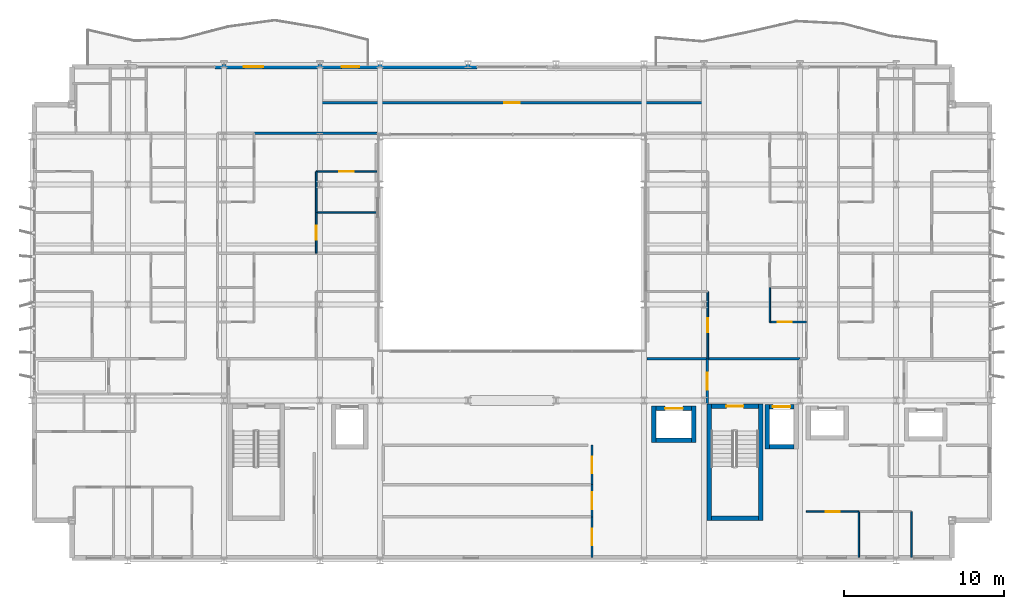
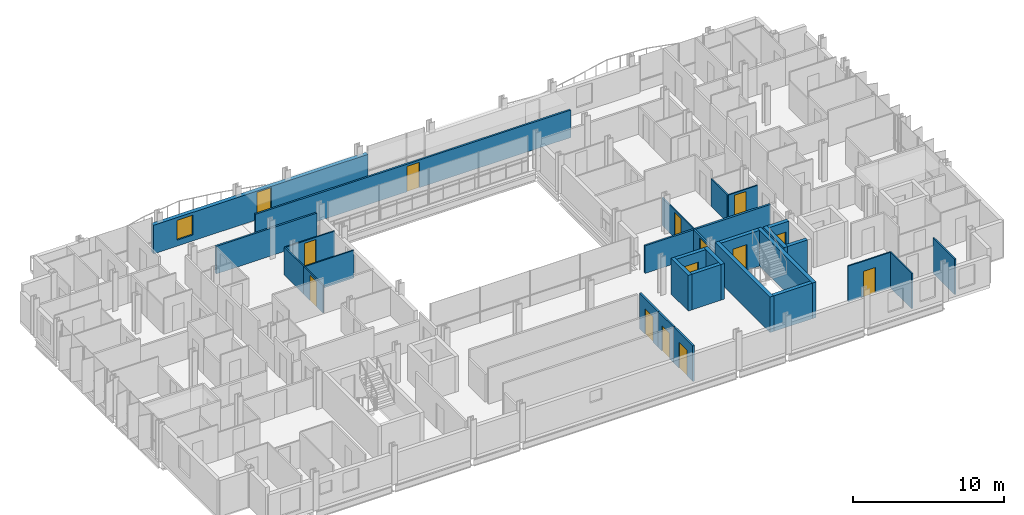
# One storey, part 30 of 39: 30 walls, 14 doors, 1 window, 15 openings.
"""IFC4 building model written with IfcOpenShell, lengths in metres."""

from ifc_helpers import new_model, si_unit, direction, frame, frame_2d, origin, place, context, subcontext, project, spatial, rectangle, extrude, material, layer, layer_set, type_object, element, fill, save


model = new_model("IFC4")

# Units and contexts
model_context = context("Model", 3, precision=1e-05, world=origin(), true_north=direction((0.0, 1.0)))
body_context = subcontext(model_context, "Body", "Model", "MODEL_VIEW")
ifc_project = project(units=[si_unit("LENGTHUNIT", "METRE"), si_unit("AREAUNIT", "SQUARE_METRE"), si_unit("VOLUMEUNIT", "CUBIC_METRE"), si_unit("PLANEANGLEUNIT", "RADIAN"), si_unit("MASSUNIT", "GRAM", prefix="KILO")], contexts=[model_context])

# Site, building, storey
site_placement = place(None, origin())
site = spatial("IfcSite", under=ifc_project, at=site_placement, CompositionType="ELEMENT")
building_placement = place(site_placement, origin())
building = spatial("IfcBuilding", under=site, at=building_placement, Name="Brevholm Reach", CompositionType="ELEMENT")
storey_placement = place(building_placement, frame((0.0, 0.0, 83.800048828125)))
storey = spatial("IfcBuildingStorey", under=building, at=storey_placement, Name="L24", CompositionType="ELEMENT", Elevation=83.800048828125)

# Walls
ifc_material_1 = material(Name="Concrete C50/60", Category="concrete")
ifc_layer_1 = layer(ifc_material_1, 0.280029296875)
ifc_layer_set_1 = layer_set([ifc_layer_1], Name="Concrete C50/60")
wall_type_1 = type_object("IfcWallType", Name="WAL-COR-280", PredefinedType="SHEAR", material=ifc_layer_set_1)
for number, where, z_axis, x_axis, name in (
    (1, (42.31005859375, 2.5, 0.0), (0.0, 0.0, 1.0), (0.0, 1.0, 0.0), "L24 Escape Stair ST-2 Core Wall W"),
    (2, (45.5400390625, 2.5, 0.0), (0.0, 0.0, 1.0), (0.0, 1.0, 0.0), "L24 Escape Stair ST-2 Core Wall E"),
):
    element("IfcWall", number, at=place(storey_placement, frame(where, z_axis=z_axis, x_axis=x_axis)), inside=storey, type_object=wall_type_1, Name=name, PredefinedType="SHEAR", context=body_context, shape_type="SweptSolid", body=[
        extrude(rectangle(XDim=7.280029296875, YDim=0.280029296875, at=frame_2d((3.64013671875, 0.0))), origin(), (0.0, 0.0, 1.0), 2.869873046875),
    ])
wall_1_placement = place(storey_placement, frame((42.449951171875, 2.639892578125, 0.0), z_axis=(0.0, 0.0, 1.0), x_axis=(1.0, 0.0, 0.0)))
element("IfcWall", 3, at=wall_1_placement, inside=storey, type_object=wall_type_1, Name="L24 Escape Stair ST-2 Core Wall S", PredefinedType="SHEAR", context=body_context, shape_type="SweptSolid", body=[
    extrude(rectangle(XDim=2.949951171875, YDim=0.280029296875, at=frame_2d((1.47509765625, 0.0))), origin(), (0.0, 0.0, 1.0), 2.869873046875),
])

# Wall, opening, door
wall_2_placement = place(storey_placement, frame((45.39990234375, 9.639892578125, 0.0), z_axis=(0.0, 0.0, 1.0), x_axis=(-1.0, 0.0, 0.0)))
wall_2 = element("IfcWall", 4, at=wall_2_placement, inside=storey, type_object=wall_type_1, Name="L24 Escape Stair ST-2 Core Wall N", PredefinedType="SHEAR", context=body_context, shape_type="SweptSolid", body=[
    extrude(rectangle(XDim=2.949951171875, YDim=0.280029296875, at=frame_2d((1.47509765625, 0.0))), origin(), (0.0, 0.0, 1.0), 2.869873046875),
])
opening_1_placement = place(wall_2_placement, frame((0.949951171875, 0.0, 0.0)))
opening_1 = element("IfcOpeningElement", 5, at=opening_1_placement, cuts=wall_2, Name="Opening SD-ST-2", PredefinedType="OPENING", context=body_context, shape_type="SweptSolid", body=[
    extrude(rectangle(XDim=1.050048828125, YDim=2.06005859375, at=frame_2d((0.52490234375, 1.030029296875))), frame((0.0, 0.14990234375, 0.0), z_axis=(0.0, -1.0, 0.0), x_axis=(1.0, 0.0, 0.0)), (0.0, 0.0, 1.0), 0.300048828125),
])
ifc_material_2 = material(Name="Hardwood-Lipped Steel-Core Fire and Smoke Door", Category="steel")
door_type_1 = type_object("IfcDoorType", Name="DOR-INT-FD60S", OperationType="NOTDEFINED", PredefinedType="DOOR", material=ifc_material_2)
door_1_placement = place(opening_1_placement, origin())
door_1 = element("IfcDoor", 6, at=door_1_placement, inside=storey, type_object=door_type_1, Name="L24 Protected Stair ST-2 Lobby Door", OperationType="SINGLE_SWING_LEFT", OverallHeight=2.06005859375, OverallWidth=1.050048828125, PredefinedType="DOOR", context=body_context, shape_type="SweptSolid", body=[
    extrude(rectangle(XDim=1.050048828125, YDim=2.06005859375, at=frame_2d((0.52490234375, 1.030029296875))), frame((0.0, 0.02490234375, 0.0), z_axis=(0.0, -1.0, 0.0), x_axis=(1.0, 0.0, 0.0)), (0.0, 0.0, 1.0), 0.050048828125),
])
fill(opening_1, door_1)

# Walls
wall_3_placement = place(storey_placement, frame((45.949951171875, 6.9599609375, 0.0), z_axis=(0.0, 0.0, 1.0), x_axis=(0.0, 1.0, 0.0)))
element("IfcWall", 7, at=wall_3_placement, inside=storey, type_object=wall_type_1, Name="L24 Lift FFL-2 Shaft Wall W", PredefinedType="SHEAR", context=body_context, shape_type="SweptSolid", body=[
    extrude(rectangle(XDim=2.780029296875, YDim=0.280029296875, at=frame_2d((1.39013671875, 0.0))), origin(), (0.0, 0.0, 1.0), 2.869873046875),
])
wall_4_placement = place(storey_placement, frame((46.090087890625, 7.10009765625, 0.0), z_axis=(0.0, 0.0, 1.0), x_axis=(1.0, 0.0, 0.0)))
element("IfcWall", 8, at=wall_4_placement, inside=storey, type_object=wall_type_1, Name="L24 Lift FFL-2 Shaft Wall S", PredefinedType="SHEAR", context=body_context, shape_type="SweptSolid", body=[
    extrude(rectangle(XDim=1.52001953125, YDim=0.280029296875, at=frame_2d((0.760009765625, 0.0))), origin(), (0.0, 0.0, 1.0), 2.869873046875),
])

# Wall, opening, door
wall_5_placement = place(storey_placement, frame((46.090087890625, 9.60009765625, 0.0), z_axis=(0.0, 0.0, 1.0), x_axis=(1.0, 0.0, 0.0)))
wall_5 = element("IfcWall", 9, at=wall_5_placement, inside=storey, type_object=wall_type_1, Name="L24 Lift FFL-2 Shaft Wall N", PredefinedType="SHEAR", context=body_context, shape_type="SweptSolid", body=[
    extrude(rectangle(XDim=1.52001953125, YDim=0.280029296875, at=frame_2d((0.760009765625, 0.0))), origin(), (0.0, 0.0, 1.0), 2.869873046875),
])
opening_2_placement = place(wall_5_placement, frame((0.2099609375, 0.0, 0.0)))
opening_2 = element("IfcOpeningElement", 10, at=opening_2_placement, cuts=wall_5, Name="Opening LD-FFL-2", PredefinedType="OPENING", context=body_context, shape_type="SweptSolid", body=[
    extrude(rectangle(XDim=1.10009765625, YDim=2.06005859375, at=frame_2d((0.550048828125, 1.030029296875))), frame((0.0, 0.14990234375, 0.0), z_axis=(0.0, -1.0, 0.0), x_axis=(1.0, 0.0, 0.0)), (0.0, 0.0, 1.0), 0.300048828125),
])
ifc_material_3 = material(Name="Brushed Stainless Steel Fire-Rated Sliding Lift Door", Category="steel")
door_type_2 = type_object("IfcDoorType", Name="DOR-LFT-1100", OperationType="NOTDEFINED", PredefinedType="DOOR", material=ifc_material_3)
door_2_placement = place(opening_2_placement, origin())
door_2 = element("IfcDoor", 11, at=door_2_placement, inside=storey, type_object=door_type_2, Name="L24 Lift FFL-2 Sliding Landing Door", OperationType="SLIDING_TO_LEFT", OverallHeight=2.06005859375, OverallWidth=1.10009765625, PredefinedType="DOOR", context=body_context, shape_type="SweptSolid", body=[
    extrude(rectangle(XDim=1.10009765625, YDim=2.06005859375, at=frame_2d((0.550048828125, 1.030029296875))), frame((0.0, 0.02490234375, 0.0), z_axis=(0.0, -1.0, 0.0), x_axis=(1.0, 0.0, 0.0)), (0.0, 0.0, 1.0), 0.050048828125),
])
fill(opening_2, door_2)

# Walls
for number, where, z_axis, x_axis, name in (
    (12, (38.8701171875, 7.360107421875, 0.0), (0.0, 0.0, 1.0), (0.0, 1.0, 0.0), "L24 Lift PL-S1 Shaft Wall W"),
    (13, (41.3701171875, 7.360107421875, 0.0), (0.0, 0.0, 1.0), (0.0, 1.0, 0.0), "L24 Lift PL-S1 Shaft Wall E"),
):
    element("IfcWall", number, at=place(storey_placement, frame(where, z_axis=z_axis, x_axis=x_axis)), inside=storey, type_object=wall_type_1, Name=name, PredefinedType="SHEAR", context=body_context, shape_type="SweptSolid", body=[
        extrude(rectangle(XDim=2.27978515625, YDim=0.280029296875, at=frame_2d((1.139892578125, 0.0))), origin(), (0.0, 0.0, 1.0), 2.869873046875),
    ])
wall_6_placement = place(storey_placement, frame((39.010009765625, 7.5, 0.0), z_axis=(0.0, 0.0, 1.0), x_axis=(1.0, 0.0, 0.0)))
element("IfcWall", 14, at=wall_6_placement, inside=storey, type_object=wall_type_1, Name="L24 Lift PL-S1 Shaft Wall S", PredefinedType="SHEAR", context=body_context, shape_type="SweptSolid", body=[
    extrude(rectangle(XDim=2.219970703125, YDim=0.280029296875, at=frame_2d((1.10986328125, 0.0))), origin(), (0.0, 0.0, 1.0), 2.869873046875),
])

# Wall, opening, door
wall_7_placement = place(storey_placement, frame((39.010009765625, 9.5, 0.0), z_axis=(0.0, 0.0, 1.0), x_axis=(1.0, 0.0, 0.0)))
wall_7 = element("IfcWall", 15, at=wall_7_placement, inside=storey, type_object=wall_type_1, Name="L24 Lift PL-S1 Shaft Wall N", PredefinedType="SHEAR", context=body_context, shape_type="SweptSolid", body=[
    extrude(rectangle(XDim=2.219970703125, YDim=0.280029296875, at=frame_2d((1.10986328125, 0.0))), origin(), (0.0, 0.0, 1.0), 2.869873046875),
])
opening_3_placement = place(wall_7_placement, frame((0.56005859375, 0.0, 0.0)))
opening_3 = element("IfcOpeningElement", 16, at=opening_3_placement, cuts=wall_7, Name="Opening LD-PL-S1", PredefinedType="OPENING", context=body_context, shape_type="SweptSolid", body=[
    extrude(rectangle(XDim=1.10009765625, YDim=2.06005859375, at=frame_2d((0.550048828125, 1.030029296875))), frame((0.0, 0.14990234375, 0.0), z_axis=(0.0, -1.0, 0.0), x_axis=(1.0, 0.0, 0.0)), (0.0, 0.0, 1.0), 0.300048828125),
])
door_3_placement = place(opening_3_placement, origin())
door_3 = element("IfcDoor", 17, at=door_3_placement, inside=storey, type_object=door_type_2, Name="L24 Lift PL-S1 Sliding Landing Door", OperationType="SLIDING_TO_RIGHT", OverallHeight=2.06005859375, OverallWidth=1.10009765625, PredefinedType="DOOR", context=body_context, shape_type="SweptSolid", body=[
    extrude(rectangle(XDim=1.10009765625, YDim=2.06005859375, at=frame_2d((0.550048828125, 1.030029296875))), frame((0.0, 0.02490234375, 0.0), z_axis=(0.0, -1.0, 0.0), x_axis=(1.0, 0.0, 0.0)), (0.0, 0.0, 1.0), 0.050048828125),
])
fill(opening_3, door_3)

# Wall, openings, door, window
ifc_material_4 = material(Name="Concrete C40/50", Category="concrete")
ifc_layer_2 = layer(ifc_material_4, 0.300048828125)
ifc_layer_set_2 = layer_set([ifc_layer_2], Name="Concrete C40/50")
wall_type_2 = type_object("IfcWallType", Name="WAL-EXT-300", PredefinedType="STANDARD", material=ifc_layer_set_2)
wall_8_placement = place(storey_placement, frame((11.449951171875, 30.85009765625, 0.0), z_axis=(0.0, 0.0, 1.0), x_axis=(1.0, 0.0, 0.0)))
wall_8 = element("IfcWall", 18, at=wall_8_placement, inside=storey, type_object=wall_type_2, Name="L24 Facade Wall WAL-L24-NP-WL", PredefinedType="STANDARD", context=body_context, shape_type="SweptSolid", body=[
    extrude(rectangle(XDim=16.35009765625, YDim=0.300048828125, at=frame_2d((8.175048828125, 0.0))), origin(), (0.0, 0.0, 1.0), 2.305419921875),
])
opening_4_placement = place(wall_8_placement, frame((7.89794921875, 0.0, 0.0)))
opening_4 = element("IfcOpeningElement", 19, at=opening_4_placement, cuts=wall_8, Name="Opening BD-01", PredefinedType="OPENING", context=body_context, shape_type="SweptSolid", body=[
    extrude(rectangle(XDim=1.10009765625, YDim=2.199951171875, at=frame_2d((0.550048828125, 1.10009765625))), frame((0.0, 0.159912109375, 0.0), z_axis=(0.0, -1.0, 0.0), x_axis=(1.0, 0.0, 0.0)), (0.0, 0.0, 1.0), 0.320068359375),
])
opening_5_placement = place(wall_8_placement, frame((1.800048828125, 0.0, 0.486083984375)))
opening_5 = element("IfcOpeningElement", 20, at=opening_5_placement, cuts=wall_8, Name="Opening WN-08", PredefinedType="OPENING", context=body_context, shape_type="SweptSolid", body=[
    extrude(rectangle(XDim=1.199951171875, YDim=1.60009765625, at=frame_2d((0.60009765625, 0.800048828125))), frame((0.0, 0.159912109375, 0.0), z_axis=(0.0, -1.0, 0.0), x_axis=(1.0, 0.0, 0.0)), (0.0, 0.0, 1.0), 0.320068359375),
])
ifc_material_5 = material(Name="Dark Anodised Aluminium and Triple-Glazed Glass", Category="aluminium")
door_type_3 = type_object("IfcDoorType", Name="DOR-BALC-1100", OperationType="NOTDEFINED", PredefinedType="DOOR", material=ifc_material_5)
door_4_placement = place(opening_4_placement, origin())
door_4 = element("IfcDoor", 21, at=door_4_placement, inside=storey, type_object=door_type_3, Name="L24 Exterior Door DOR-L24-BL-NW", OperationType="SINGLE_SWING_LEFT", OverallHeight=2.199951171875, OverallWidth=1.10009765625, PredefinedType="DOOR", context=body_context, shape_type="SweptSolid", body=[
    extrude(rectangle(XDim=1.10009765625, YDim=2.199951171875, at=frame_2d((0.550048828125, 1.10009765625))), frame((0.0, 0.02490234375, 0.0), z_axis=(0.0, -1.0, 0.0), x_axis=(1.0, 0.0, 0.0)), (0.0, 0.0, 1.0), 0.050048828125),
])
fill(opening_4, door_4)
ifc_material_6 = material(Name="Dark Anodised Aluminium and Solar-Control IGU Glass", Category="aluminium")
window_type = type_object("IfcWindowType", Name="WIN-RES-1200", PartitioningType="SINGLE_PANEL", PredefinedType="WINDOW", material=ifc_material_6)
window_placement = place(opening_5_placement, origin())
window = element("IfcWindow", 22, at=window_placement, inside=storey, type_object=window_type, Name="L24 Window WIN-L24-NP-WL1", OverallHeight=1.60009765625, OverallWidth=1.199951171875, PartitioningType="SINGLE_PANEL", PredefinedType="WINDOW", context=body_context, shape_type="SweptSolid", body=[
    extrude(rectangle(XDim=1.199951171875, YDim=1.60009765625, at=frame_2d((0.60009765625, 0.800048828125))), frame((0.0, 0.030029296875, 0.0), z_axis=(0.0, -1.0, 0.0), x_axis=(1.0, 0.0, 0.0)), (0.0, 0.0, 1.0), 0.06005859375),
])
fill(opening_5, window)

# Wall
ifc_material_7 = material(Name="Moisture-Resistant Acoustic Gypsum Stud Partition 100 mm", Category="gypsum")
ifc_layer_3 = layer(ifc_material_7, 0.10009765625)
ifc_layer_set_3 = layer_set([ifc_layer_3], Name="Moisture-Resistant Acoustic Gypsum Stud Partition 100 mm")
wall_type_3 = type_object("IfcWallType", Name="WAL-PRT-100", PredefinedType="PARTITIONING", material=ifc_layer_set_3)
wall_9_placement = place(storey_placement, frame((51.675048828125, 0.199951171875, 0.0), z_axis=(0.0, 0.0, 1.0), x_axis=(0.0, 1.0, 0.0)))
element("IfcWall", 23, at=wall_9_placement, inside=storey, type_object=wall_type_3, Name="L24 Internal Partition 082", PredefinedType="PARTITIONING", context=body_context, shape_type="SweptSolid", body=[
    extrude(rectangle(XDim=2.85009765625, YDim=0.10009765625, at=frame_2d((1.425048828125, 0.0))), origin(), (0.0, 0.0, 1.0), 2.869873046875),
])

# Wall, opening, door
wall_10_placement = place(storey_placement, frame((48.39990234375, 3.050048828125, 0.0), z_axis=(0.0, 0.0, 1.0), x_axis=(1.0, 0.0, 0.0)))
wall_10 = element("IfcWall", 24, at=wall_10_placement, inside=storey, type_object=wall_type_3, Name="L24 Internal Partition 083", PredefinedType="PARTITIONING", context=body_context, shape_type="SweptSolid", body=[
    extrude(rectangle(XDim=3.275146484375, YDim=0.10009765625, at=frame_2d((1.6376953125, 0.0))), origin(), (0.0, 0.0, 1.0), 2.869873046875),
])
opening_6_placement = place(wall_10_placement, frame((1.197509765625, 0.0, 0.0)))
opening_6 = element("IfcOpeningElement", 25, at=opening_6_placement, cuts=wall_10, Name="Opening ID-01", PredefinedType="OPENING", context=body_context, shape_type="SweptSolid", body=[
    extrude(rectangle(XDim=0.8798828125, YDim=2.0400390625, at=frame_2d((0.43994140625, 1.02001953125))), frame((0.0, 0.06005859375, 0.0), z_axis=(0.0, -1.0, 0.0), x_axis=(1.0, 0.0, 0.0)), (0.0, 0.0, 1.0), 0.1201171875),
])
ifc_material_8 = material(Name="Lacquered Ash Solid-Core Acoustic Internal Door", Category="timber")
door_type_4 = type_object("IfcDoorType", Name="DOR-INT-880", OperationType="NOTDEFINED", PredefinedType="DOOR", material=ifc_material_8)
door_5_placement = place(opening_6_placement, origin())
door_5 = element("IfcDoor", 26, at=door_5_placement, inside=storey, type_object=door_type_4, Name="L24 Internal Door 032", OperationType="SINGLE_SWING_LEFT", OverallHeight=2.0400390625, OverallWidth=0.8798828125, PredefinedType="DOOR", context=body_context, shape_type="SweptSolid", body=[
    extrude(rectangle(XDim=0.8798828125, YDim=2.0400390625, at=frame_2d((0.43994140625, 1.02001953125))), frame((0.0, 0.02490234375, 0.0), z_axis=(0.0, -1.0, 0.0), x_axis=(1.0, 0.0, 0.0)), (0.0, 0.0, 1.0), 0.050048828125),
])
fill(opening_6, door_5)

# Walls
wall_11_placement = place(storey_placement, frame((54.949951171875, 0.199951171875, 0.0), z_axis=(0.0, 0.0, 1.0), x_axis=(0.0, 1.0, 0.0)))
element("IfcWall", 27, at=wall_11_placement, inside=storey, type_object=wall_type_3, Name="L24 Internal Partition 084", PredefinedType="PARTITIONING", context=body_context, shape_type="SweptSolid", body=[
    extrude(rectangle(XDim=2.85009765625, YDim=0.10009765625, at=frame_2d((1.425048828125, 0.0))), origin(), (0.0, 0.0, 1.0), 2.869873046875),
])
wall_12_placement = place(storey_placement, frame((17.76904296875, 21.75, 0.0), z_axis=(0.0, 0.0, 1.0), x_axis=(1.0, 0.0, 0.0)))
element("IfcWall", 28, at=wall_12_placement, inside=storey, type_object=wall_type_3, Name="L24 Internal Partition 121", PredefinedType="PARTITIONING", context=body_context, shape_type="SweptSolid", body=[
    extrude(rectangle(XDim=3.781005859375, YDim=0.10009765625, at=frame_2d((1.890625, 0.0))), origin(), (0.0, 0.0, 1.0), 2.224853515625),
])

# Wall, opening, door
wall_13_placement = place(storey_placement, frame((17.76904296875, 19.2041015625, 0.0), z_axis=(0.0, 0.0, 1.0), x_axis=(0.0, 1.0, 0.0)))
wall_13 = element("IfcWall", 29, at=wall_13_placement, inside=storey, type_object=wall_type_3, Name="L24 Internal Partition 122", PredefinedType="PARTITIONING", context=body_context, shape_type="SweptSolid", body=[
    extrude(rectangle(XDim=2.5458984375, YDim=0.10009765625, at=frame_2d((1.27294921875, 0.0))), origin(), (0.0, 0.0, 1.0), 2.224853515625),
])
opening_7_placement = place(wall_13_placement, frame((0.8330078125, 0.0, 0.0)))
opening_7 = element("IfcOpeningElement", 30, at=opening_7_placement, cuts=wall_13, Name="Opening ID-01", PredefinedType="OPENING", context=body_context, shape_type="SweptSolid", body=[
    extrude(rectangle(XDim=0.8798828125, YDim=2.0400390625, at=frame_2d((0.43994140625, 1.02001953125))), frame((0.0, 0.06005859375, 0.0), z_axis=(0.0, -1.0, 0.0), x_axis=(1.0, 0.0, 0.0)), (0.0, 0.0, 1.0), 0.1201171875),
])
door_6_placement = place(opening_7_placement, origin())
door_6 = element("IfcDoor", 31, at=door_6_placement, inside=storey, type_object=door_type_4, Name="L24 Internal Door 046", OperationType="SINGLE_SWING_LEFT", OverallHeight=2.0400390625, OverallWidth=0.8798828125, PredefinedType="DOOR", context=body_context, shape_type="SweptSolid", body=[
    extrude(rectangle(XDim=0.8798828125, YDim=2.0400390625, at=frame_2d((0.43994140625, 1.02001953125))), frame((0.0, 0.02490234375, 0.0), z_axis=(0.0, -1.0, 0.0), x_axis=(1.0, 0.0, 0.0)), (0.0, 0.0, 1.0), 0.050048828125),
])
fill(opening_7, door_6)

wall_14_placement = place(storey_placement, frame((17.76904296875, 24.300048828125, 0.0), z_axis=(0.0, 0.0, 1.0), x_axis=(1.0, 0.0, 0.0)))
wall_14 = element("IfcWall", 32, at=wall_14_placement, inside=storey, type_object=wall_type_3, Name="L24 Internal Partition 123", PredefinedType="PARTITIONING", context=body_context, shape_type="SweptSolid", body=[
    extrude(rectangle(XDim=3.781005859375, YDim=0.10009765625, at=frame_2d((1.890625, 0.0))), origin(), (0.0, 0.0, 1.0), 2.224853515625),
])
opening_8_placement = place(wall_14_placement, frame((1.450439453125, 0.0, 0.0)))
opening_8 = element("IfcOpeningElement", 33, at=opening_8_placement, cuts=wall_14, Name="Opening ID-01", PredefinedType="OPENING", context=body_context, shape_type="SweptSolid", body=[
    extrude(rectangle(XDim=0.8798828125, YDim=2.0400390625, at=frame_2d((0.43994140625, 1.02001953125))), frame((0.0, 0.06005859375, 0.0), z_axis=(0.0, -1.0, 0.0), x_axis=(1.0, 0.0, 0.0)), (0.0, 0.0, 1.0), 0.1201171875),
])
door_7_placement = place(opening_8_placement, origin())
door_7 = element("IfcDoor", 34, at=door_7_placement, inside=storey, type_object=door_type_4, Name="L24 Internal Door 047", OperationType="SINGLE_SWING_RIGHT", OverallHeight=2.0400390625, OverallWidth=0.8798828125, PredefinedType="DOOR", context=body_context, shape_type="SweptSolid", body=[
    extrude(rectangle(XDim=0.8798828125, YDim=2.0400390625, at=frame_2d((0.43994140625, 1.02001953125))), frame((0.0, 0.02490234375, 0.0), z_axis=(0.0, -1.0, 0.0), x_axis=(1.0, 0.0, 0.0)), (0.0, 0.0, 1.0), 0.050048828125),
])
fill(opening_8, door_7)

# Wall
wall_15_placement = place(storey_placement, frame((17.76904296875, 21.75390625, 0.0), z_axis=(0.0, 0.0, 1.0), x_axis=(0.0, 1.0, 0.0)))
element("IfcWall", 35, at=wall_15_placement, inside=storey, type_object=wall_type_3, Name="L24 Internal Partition 124", PredefinedType="PARTITIONING", context=body_context, shape_type="SweptSolid", body=[
    extrude(rectangle(XDim=2.546142578125, YDim=0.10009765625, at=frame_2d((1.27294921875, 0.0))), origin(), (0.0, 0.0, 1.0), 2.224853515625),
])

# Wall, opening, door
wall_16_placement = place(storey_placement, frame((46.112060546875, 14.89990234375, 0.0), z_axis=(0.0, 0.0, 1.0), x_axis=(1.0, 0.0, 0.0)))
wall_16 = element("IfcWall", 36, at=wall_16_placement, inside=storey, type_object=wall_type_3, Name="L24 Internal Partition 128", PredefinedType="PARTITIONING", context=body_context, shape_type="SweptSolid", body=[
    extrude(rectangle(XDim=2.283935546875, YDim=0.10009765625, at=frame_2d((1.14208984375, 0.0))), origin(), (0.0, 0.0, 1.0), 2.224853515625),
])
opening_9_placement = place(wall_16_placement, frame((0.48193359375, 0.0, 0.0)))
opening_9 = element("IfcOpeningElement", 37, at=opening_9_placement, cuts=wall_16, Name="Opening ID-01", PredefinedType="OPENING", context=body_context, shape_type="SweptSolid", body=[
    extrude(rectangle(XDim=0.8798828125, YDim=2.0400390625, at=frame_2d((0.43994140625, 1.02001953125))), frame((0.0, 0.06005859375, 0.0), z_axis=(0.0, -1.0, 0.0), x_axis=(1.0, 0.0, 0.0)), (0.0, 0.0, 1.0), 0.1201171875),
])
door_8_placement = place(opening_9_placement, origin())
door_8 = element("IfcDoor", 38, at=door_8_placement, inside=storey, type_object=door_type_4, Name="L24 Internal Door 049", OperationType="SINGLE_SWING_RIGHT", OverallHeight=2.0400390625, OverallWidth=0.8798828125, PredefinedType="DOOR", context=body_context, shape_type="SweptSolid", body=[
    extrude(rectangle(XDim=0.8798828125, YDim=2.0400390625, at=frame_2d((0.43994140625, 1.02001953125))), frame((0.0, 0.02490234375, 0.0), z_axis=(0.0, -1.0, 0.0), x_axis=(1.0, 0.0, 0.0)), (0.0, 0.0, 1.0), 0.050048828125),
])
fill(opening_9, door_8)

# Wall
wall_17_placement = place(storey_placement, frame((46.112060546875, 14.89990234375, 0.0), z_axis=(0.0, 0.0, 1.0), x_axis=(0.0, 1.0, 0.0)))
element("IfcWall", 39, at=wall_17_placement, inside=storey, type_object=wall_type_3, Name="L24 Internal Partition 129", PredefinedType="PARTITIONING", context=body_context, shape_type="SweptSolid", body=[
    extrude(rectangle(XDim=2.14599609375, YDim=0.10009765625, at=frame_2d((1.072998046875, 0.0))), origin(), (0.0, 0.0, 1.0), 2.224853515625),
])

# Wall, opening, door
wall_18_placement = place(storey_placement, frame((42.23095703125, 12.60400390625, 0.0), z_axis=(0.0, 0.0, 1.0), x_axis=(0.0, 1.0, 0.0)))
wall_18 = element("IfcWall", 40, at=wall_18_placement, inside=storey, type_object=wall_type_3, Name="L24 Internal Partition 130", PredefinedType="PARTITIONING", context=body_context, shape_type="SweptSolid", body=[
    extrude(rectangle(XDim=4.196044921875, YDim=0.10009765625, at=frame_2d((2.09814453125, 0.0))), origin(), (0.0, 0.0, 1.0), 2.224853515625),
])
opening_10_placement = place(wall_18_placement, frame((1.657958984375, 0.0, 0.0)))
opening_10 = element("IfcOpeningElement", 41, at=opening_10_placement, cuts=wall_18, Name="Opening ID-01", PredefinedType="OPENING", context=body_context, shape_type="SweptSolid", body=[
    extrude(rectangle(XDim=0.8798828125, YDim=2.0400390625, at=frame_2d((0.43994140625, 1.02001953125))), frame((0.0, 0.06005859375, 0.0), z_axis=(0.0, -1.0, 0.0), x_axis=(1.0, 0.0, 0.0)), (0.0, 0.0, 1.0), 0.1201171875),
])
door_9_placement = place(opening_10_placement, origin())
door_9 = element("IfcDoor", 42, at=door_9_placement, inside=storey, type_object=door_type_4, Name="L24 Internal Door 050", OperationType="SINGLE_SWING_LEFT", OverallHeight=2.0400390625, OverallWidth=0.8798828125, PredefinedType="DOOR", context=body_context, shape_type="SweptSolid", body=[
    extrude(rectangle(XDim=0.8798828125, YDim=2.0400390625, at=frame_2d((0.43994140625, 1.02001953125))), frame((0.0, 0.02490234375, 0.0), z_axis=(0.0, -1.0, 0.0), x_axis=(1.0, 0.0, 0.0)), (0.0, 0.0, 1.0), 0.050048828125),
])
fill(opening_10, door_9)

ifc_material_9 = material(Name="Twin-Stud Acoustic Fire-Rated Gypsum Partition 140 mm", Category="gypsum")
ifc_layer_4 = layer(ifc_material_9, 0.139892578125)
ifc_layer_set_4 = layer_set([ifc_layer_4], Name="Twin-Stud Acoustic Fire-Rated Gypsum Partition 140 mm")
wall_type_4 = type_object("IfcWallType", Name="WAL-PRT-140", PredefinedType="PARTITIONING", material=ifc_layer_set_4)
wall_19_placement = place(storey_placement, frame((35.0, 0.179931640625, 0.0), z_axis=(0.0, 0.0, 1.0), x_axis=(0.0, 1.0, 0.0)))
wall_19 = element("IfcWall", 43, at=wall_19_placement, inside=storey, type_object=wall_type_4, Name="L24 Internal Partition 001", PredefinedType="PARTITIONING", context=body_context, shape_type="SweptSolid", body=[
    extrude(rectangle(XDim=2.568359375, YDim=0.139892578125, at=frame_2d((1.2841796875, 0.0))), origin(), (0.0, 0.0, 1.0), 2.869873046875),
])
opening_11_placement = place(wall_19_placement, frame((0.759033203125, 0.0, 0.0)))
opening_11 = element("IfcOpeningElement", 44, at=opening_11_placement, cuts=wall_19, Name="Opening FD-01", PredefinedType="OPENING", context=body_context, shape_type="SweptSolid", body=[
    extrude(rectangle(XDim=1.050048828125, YDim=2.06005859375, at=frame_2d((0.52490234375, 1.030029296875))), frame((0.0, 0.079833984375, 0.0), z_axis=(0.0, -1.0, 0.0), x_axis=(1.0, 0.0, 0.0)), (0.0, 0.0, 1.0), 0.159912109375),
])
door_10_placement = place(opening_11_placement, origin())
door_10 = element("IfcDoor", 45, at=door_10_placement, inside=storey, type_object=door_type_1, Name="L24 Internal Door 001", OperationType="SINGLE_SWING_RIGHT", OverallHeight=2.06005859375, OverallWidth=1.050048828125, PredefinedType="DOOR", context=body_context, shape_type="SweptSolid", body=[
    extrude(rectangle(XDim=1.050048828125, YDim=2.06005859375, at=frame_2d((0.52490234375, 1.030029296875))), frame((0.0, 0.02490234375, 0.0), z_axis=(0.0, -1.0, 0.0), x_axis=(1.0, 0.0, 0.0)), (0.0, 0.0, 1.0), 0.050048828125),
])
fill(opening_11, door_10)

wall_20_placement = place(storey_placement, frame((35.0, 2.729736328125, 0.0), z_axis=(0.0, 0.0, 1.0), x_axis=(0.0, 1.0, 0.0)))
wall_20 = element("IfcWall", 46, at=wall_20_placement, inside=storey, type_object=wall_type_4, Name="L24 Internal Partition 002", PredefinedType="PARTITIONING", context=body_context, shape_type="SweptSolid", body=[
    extrude(rectangle(XDim=2.0224609375, YDim=0.139892578125, at=frame_2d((1.01123046875, 0.0))), origin(), (0.0, 0.0, 1.0), 2.869873046875),
])
opening_12_placement = place(wall_20_placement, frame((0.486328125, 0.0, 0.0)))
opening_12 = element("IfcOpeningElement", 47, at=opening_12_placement, cuts=wall_20, Name="Opening FD-01", PredefinedType="OPENING", context=body_context, shape_type="SweptSolid", body=[
    extrude(rectangle(XDim=1.050048828125, YDim=2.06005859375, at=frame_2d((0.52490234375, 1.030029296875))), frame((0.0, 0.079833984375, 0.0), z_axis=(0.0, -1.0, 0.0), x_axis=(1.0, 0.0, 0.0)), (0.0, 0.0, 1.0), 0.159912109375),
])
door_11_placement = place(opening_12_placement, origin())
door_11 = element("IfcDoor", 48, at=door_11_placement, inside=storey, type_object=door_type_1, Name="L24 Internal Door 002", OperationType="SINGLE_SWING_LEFT", OverallHeight=2.06005859375, OverallWidth=1.050048828125, PredefinedType="DOOR", context=body_context, shape_type="SweptSolid", body=[
    extrude(rectangle(XDim=1.050048828125, YDim=2.06005859375, at=frame_2d((0.52490234375, 1.030029296875))), frame((0.0, 0.02490234375, 0.0), z_axis=(0.0, -1.0, 0.0), x_axis=(1.0, 0.0, 0.0)), (0.0, 0.0, 1.0), 0.050048828125),
])
fill(opening_12, door_11)

wall_21_placement = place(storey_placement, frame((35.0, 4.733642578125, 0.0), z_axis=(0.0, 0.0, 1.0), x_axis=(0.0, 1.0, 0.0)))
wall_21 = element("IfcWall", 49, at=wall_21_placement, inside=storey, type_object=wall_type_4, Name="L24 Internal Partition 003", PredefinedType="PARTITIONING", context=body_context, shape_type="SweptSolid", body=[
    extrude(rectangle(XDim=2.4775390625, YDim=0.139892578125, at=frame_2d((1.23876953125, 0.0))), origin(), (0.0, 0.0, 1.0), 2.869873046875),
])
opening_13_placement = place(wall_21_placement, frame((0.7138671875, 0.0, 0.0)))
opening_13 = element("IfcOpeningElement", 50, at=opening_13_placement, cuts=wall_21, Name="Opening FD-01", PredefinedType="OPENING", context=body_context, shape_type="SweptSolid", body=[
    extrude(rectangle(XDim=1.050048828125, YDim=2.06005859375, at=frame_2d((0.52490234375, 1.030029296875))), frame((0.0, 0.079833984375, 0.0), z_axis=(0.0, -1.0, 0.0), x_axis=(1.0, 0.0, 0.0)), (0.0, 0.0, 1.0), 0.159912109375),
])
door_12_placement = place(opening_13_placement, origin())
door_12 = element("IfcDoor", 51, at=door_12_placement, inside=storey, type_object=door_type_1, Name="L24 Internal Door 003", OperationType="SINGLE_SWING_RIGHT", OverallHeight=2.06005859375, OverallWidth=1.050048828125, PredefinedType="DOOR", context=body_context, shape_type="SweptSolid", body=[
    extrude(rectangle(XDim=1.050048828125, YDim=2.06005859375, at=frame_2d((0.52490234375, 1.030029296875))), frame((0.0, 0.02490234375, 0.0), z_axis=(0.0, -1.0, 0.0), x_axis=(1.0, 0.0, 0.0)), (0.0, 0.0, 1.0), 0.050048828125),
])
fill(opening_13, door_12)

# Walls
wall_22_placement = place(storey_placement, frame((38.438720703125, 12.60009765625, 0.0), z_axis=(0.0, 0.0, 1.0), x_axis=(1.0, 0.0, 0.0)))
element("IfcWall", 52, at=wall_22_placement, inside=storey, type_object=wall_type_4, Name="L24 Internal Partition 025", PredefinedType="PARTITIONING", context=body_context, shape_type="SweptSolid", body=[
    extrude(rectangle(XDim=3.75732421875, YDim=0.139892578125, at=frame_2d((1.878662109375, 0.0))), origin(), (0.0, 0.0, 1.0), 2.224853515625),
])
wall_23_placement = place(storey_placement, frame((13.881591796875, 26.699951171875, 0.0), z_axis=(0.0, 0.0, 1.0), x_axis=(1.0, 0.0, 0.0)))
element("IfcWall", 53, at=wall_23_placement, inside=storey, type_object=wall_type_4, Name="L24 Internal Partition 055", PredefinedType="PARTITIONING", context=body_context, shape_type="SweptSolid", body=[
    extrude(rectangle(XDim=7.6796875, YDim=0.139892578125, at=frame_2d((3.83984375, 0.0))), origin(), (0.0, 0.0, 1.0), 2.224853515625),
])

# Wall, opening, door
wall_24_placement = place(storey_placement, frame((17.98876953125, 28.60009765625, 0.0), z_axis=(0.0, 0.0, 1.0), x_axis=(1.0, 0.0, 0.0)))
wall_24 = element("IfcWall", 54, at=wall_24_placement, inside=storey, type_object=wall_type_4, Name="L24 Internal Partition 058", PredefinedType="PARTITIONING", context=body_context, shape_type="SweptSolid", body=[
    extrude(rectangle(XDim=24.0224609375, YDim=0.139892578125, at=frame_2d((12.01123046875, 0.0))), origin(), (0.0, 0.0, 1.0), 2.224853515625),
])
opening_14_placement = place(wall_24_placement, frame((11.536376953125, 0.0, 0.0)))
opening_14 = element("IfcOpeningElement", 55, at=opening_14_placement, cuts=wall_24, Name="Opening ID-30", PredefinedType="OPENING", context=body_context, shape_type="SweptSolid", body=[
    extrude(rectangle(XDim=0.949951171875, YDim=2.050048828125, at=frame_2d((0.47509765625, 1.02490234375))), frame((0.0, 0.079833984375, 0.0), z_axis=(0.0, -1.0, 0.0), x_axis=(1.0, 0.0, 0.0)), (0.0, 0.0, 1.0), 0.159912109375),
])
ifc_material_10 = material(Name="European Oak Veneered Solid-Core Fire Entrance Door", Category="timber")
door_type_5 = type_object("IfcDoorType", Name="DOR-FLT-FD30S", OperationType="NOTDEFINED", PredefinedType="DOOR", material=ifc_material_10)
door_13_placement = place(opening_14_placement, origin())
door_13 = element("IfcDoor", 56, at=door_13_placement, inside=storey, type_object=door_type_5, Name="L24 Internal Door 024", OperationType="SINGLE_SWING_LEFT", OverallHeight=2.050048828125, OverallWidth=0.949951171875, PredefinedType="DOOR", context=body_context, shape_type="SweptSolid", body=[
    extrude(rectangle(XDim=0.949951171875, YDim=2.050048828125, at=frame_2d((0.47509765625, 1.02490234375))), frame((0.0, 0.02490234375, 0.0), z_axis=(0.0, -1.0, 0.0), x_axis=(1.0, 0.0, 0.0)), (0.0, 0.0, 1.0), 0.050048828125),
])
fill(opening_14, door_13)

ifc_material_11 = material(Name="Twin-Frame Fire-Rated Gypsum Board and Mineral Wool 160 mm", Category="gypsum")
ifc_layer_5 = layer(ifc_material_11, 0.159912109375)
ifc_layer_set_5 = layer_set([ifc_layer_5], Name="Twin-Frame Fire-Rated Gypsum Board and Mineral Wool 160 mm")
wall_type_5 = type_object("IfcWallType", Name="WAL-PRT-160", PredefinedType="PARTITIONING", material=ifc_layer_set_5)
wall_25_placement = place(storey_placement, frame((42.199951171875, 9.7900390625, 0.0), z_axis=(0.0, 0.0, 1.0), x_axis=(0.0, 1.0, 0.0)))
wall_25 = element("IfcWall", 57, at=wall_25_placement, inside=storey, type_object=wall_type_5, Name="L24 Internal Partition 017", PredefinedType="PARTITIONING", context=body_context, shape_type="SweptSolid", body=[
    extrude(rectangle(XDim=2.81005859375, YDim=0.159912109375, at=frame_2d((1.405029296875, 0.0))), origin(), (0.0, 0.0, 1.0), 2.224853515625),
])
opening_15_placement = place(wall_25_placement, frame((0.8798828125, 0.0, 0.0)))
opening_15 = element("IfcOpeningElement", 58, at=opening_15_placement, cuts=wall_25, Name="Opening FD-01", PredefinedType="OPENING", context=body_context, shape_type="SweptSolid", body=[
    extrude(rectangle(XDim=1.050048828125, YDim=2.06005859375, at=frame_2d((0.52490234375, 1.030029296875))), frame((0.0, 0.08984375, 0.0), z_axis=(0.0, -1.0, 0.0), x_axis=(1.0, 0.0, 0.0)), (0.0, 0.0, 1.0), 0.179931640625),
])
door_14_placement = place(opening_15_placement, origin())
door_14 = element("IfcDoor", 59, at=door_14_placement, inside=storey, type_object=door_type_1, Name="L24 Internal Door 011", OperationType="SINGLE_SWING_RIGHT", OverallHeight=2.06005859375, OverallWidth=1.050048828125, PredefinedType="DOOR", context=body_context, shape_type="SweptSolid", body=[
    extrude(rectangle(XDim=1.050048828125, YDim=2.06005859375, at=frame_2d((0.52490234375, 1.030029296875))), frame((0.0, 0.02490234375, 0.0), z_axis=(0.0, -1.0, 0.0), x_axis=(1.0, 0.0, 0.0)), (0.0, 0.0, 1.0), 0.050048828125),
])
fill(opening_15, door_14)

# Wall
wall_26_placement = place(storey_placement, frame((42.2236328125, 12.60009765625, 0.0), z_axis=(0.0, 0.0, 1.0), x_axis=(1.0, 0.0, 0.0)))
element("IfcWall", 60, at=wall_26_placement, inside=storey, type_object=wall_type_5, Name="L24 Internal Partition 019", PredefinedType="PARTITIONING", context=body_context, shape_type="SweptSolid", body=[
    extrude(rectangle(XDim=5.7763671875, YDim=0.159912109375, at=frame_2d((2.88818359375, 0.0))), origin(), (0.0, 0.0, 1.0), 2.224853515625),
])

save(model, "model.ifc")
